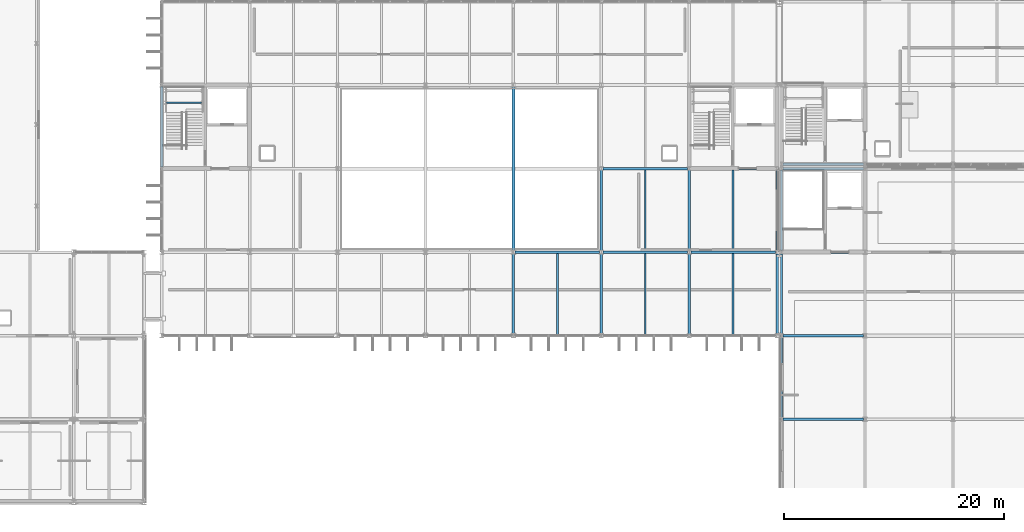
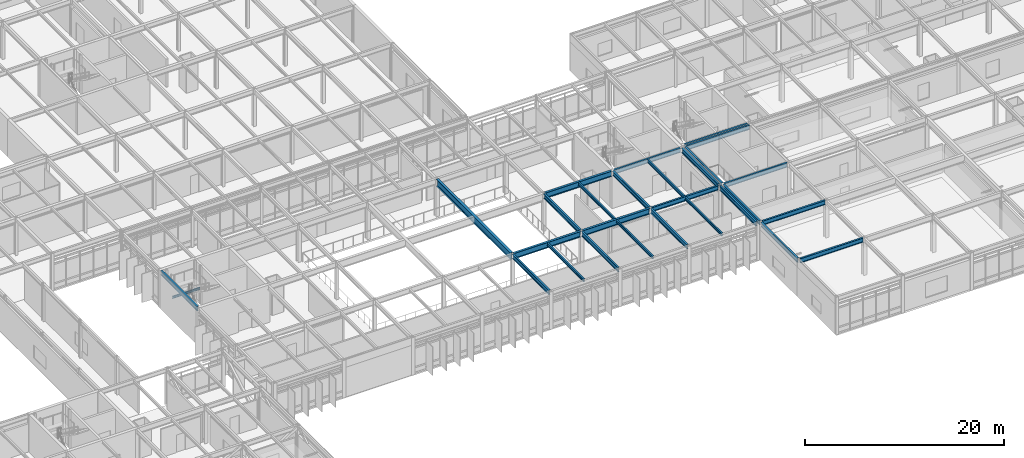
# One storey, part 43 of 104: 28 beams.
"""IFC4 building model written with IfcOpenShell, lengths in metres."""

import ifcopenshell
import ifcopenshell.guid

model = None  # the IFC model being written
_history = None  # IfcOwnerHistory: only IFC2X3 demands one
_inside = {}  # id of a spatial element -> (the spatial element, [elements in it])
_under = {}  # id of a project, library or spatial element -> (it, [spatial elements below it])
_declared = {}  # id of a project -> (the project, [libraries it declares])
_typed = {}  # id of a type object -> (the type object, [elements of that type])
_made_of = {}  # id of a material, layer set ... -> (it, [elements and type objects made of it])


def new_model(schema):
    """Start an empty IFC model of exactly this schema.

    Asked for "IFC4X3", IfcOpenShell would pick the latest addendum, in which some entities
    have other attributes; the version numbers below select the first issue.
    IFC2X3 requires an IfcOwnerHistory on every rooted entity: one is made here for all.
    """
    global model, _history
    if schema == "IFC4X3":
        model = ifcopenshell.file(schema_version=(4, 3, 0, 0))
    else:
        model = ifcopenshell.file(schema=schema)
    _inside.clear()
    _under.clear()
    _declared.clear()
    _typed.clear()
    _made_of.clear()
    _history = None
    if model.schema == "IFC2X3":
        org = make("IfcOrganization", Name="unknown")
        user = make(
            "IfcPersonAndOrganization",
            ThePerson=make("IfcPerson", FamilyName="unknown"),
            TheOrganization=org,
        )
        app = make(
            "IfcApplication",
            ApplicationDeveloper=org,
            Version="unknown",
            ApplicationFullName="unknown",
            ApplicationIdentifier="unknown",
        )
        _history = make(
            "IfcOwnerHistory",
            OwningUser=user,
            OwningApplication=app,
            ChangeAction="ADDED",
            CreationDate=0,
        )
    return model


def make(cls, **values):
    """One entity of the class cls with the attributes given. An attribute that is None is left unset."""
    return model.create_entity(
        cls, **{name: value for name, value in values.items() if value is not None}
    )


def rooted(cls, **values):
    """An entity with a GlobalId (a new one), such as an element, a storey or a relation."""
    return make(cls, GlobalId=ifcopenshell.guid.new(), OwnerHistory=_history, **values)


def si_unit(unit_type, name, prefix=None):
    """IfcSIUnit, for example si_unit("LENGTHUNIT", "METRE", prefix="MILLI")."""
    return make("IfcSIUnit", UnitType=unit_type, Prefix=prefix, Name=name)


def assignment(units):
    """IfcUnitAssignment: the units of a project."""
    return None if units is None else make("IfcUnitAssignment", Units=units)


def point(xyz):
    """IfcCartesianPoint."""
    return None if xyz is None else make("IfcCartesianPoint", Coordinates=xyz)


def direction(xyz):
    """IfcDirection."""
    return None if xyz is None else make("IfcDirection", DirectionRatios=xyz)


def frame(location, z_axis=None, x_axis=None):
    """IfcAxis2Placement3D, a coordinate frame: its origin and axes. An axis left out is left unset."""
    return make(
        "IfcAxis2Placement3D",
        Location=point(location),
        Axis=direction(z_axis),
        RefDirection=direction(x_axis),
    )


def frame_2d(location, x_axis=None):
    """IfcAxis2Placement2D, a coordinate frame in the plane: its origin and x axis."""
    return make(
        "IfcAxis2Placement2D", Location=point(location), RefDirection=direction(x_axis)
    )


def origin():
    """The frame at (0, 0, 0) with its axes left unset."""
    return frame((0.0, 0.0, 0.0))


def origin_2d():
    """The frame at (0, 0) in the plane with its x axis left unset."""
    return frame_2d((0.0, 0.0))


def place(relative_to, where):
    """IfcLocalPlacement: puts the frame where relative to a parent placement (None: the world)."""
    return make(
        "IfcLocalPlacement", PlacementRelTo=relative_to, RelativePlacement=where
    )


def context(
    kind, dimensions, precision=None, world=None, true_north=None, identifier=None
):
    """IfcGeometricRepresentationContext, for example the 3D "Model" context."""
    return make(
        "IfcGeometricRepresentationContext",
        ContextIdentifier=identifier,
        ContextType=kind,
        CoordinateSpaceDimension=dimensions,
        Precision=precision,
        WorldCoordinateSystem=world,
        TrueNorth=true_north,
    )


def subcontext(parent, identifier, kind, view, scale=None):
    """IfcGeometricRepresentationSubContext, for example "Body" below "Model"."""
    return make(
        "IfcGeometricRepresentationSubContext",
        ContextIdentifier=identifier,
        ContextType=kind,
        ParentContext=parent,
        TargetScale=scale,
        TargetView=view,
    )


def project(units=None, contexts=None):
    """IfcProject with its units and contexts."""
    return rooted(
        "IfcProject",
        Name="project",
        RepresentationContexts=contexts,
        UnitsInContext=assignment(units),
    )


def spatial(cls, under=None, at=None, **own):
    """A site, building, storey or space (cls), placed at a placement, below another one or the project."""
    s = rooted(cls, ObjectPlacement=at, **own)
    if under is not None:
        _under.setdefault(under.id(), (under, []))[1].append(s)
    return s


def profile(cls, at=None, kind="AREA", **sizes):
    """A parametric profile (cls). Its sizes go by their IFC names, for example OverallWidth=200.0."""
    return make(cls, ProfileType=kind, Position=at, **sizes)


def i_section(**sizes):
    """IfcIShapeProfileDef."""
    return profile("IfcIShapeProfileDef", **sizes)


def extrude(swept, where, along, depth):
    """IfcExtrudedAreaSolid: the profile swept, set in the frame where, extruded along a direction by depth."""
    return make(
        "IfcExtrudedAreaSolid",
        SweptArea=swept,
        Position=where,
        ExtrudedDirection=direction(along),
        Depth=depth,
    )


def shape(context_of_items, identifier, shape_type, items):
    """IfcShapeRepresentation: the items that make up one representation, for example the "Body"."""
    return make(
        "IfcShapeRepresentation",
        ContextOfItems=context_of_items,
        RepresentationIdentifier=identifier,
        RepresentationType=shape_type,
        Items=items,
    )


def material(Name=None, Category=None):
    """IfcMaterial."""
    return make("IfcMaterial", Name=Name, Category=Category)


def material_profile(
    of_material, cross_section, Name=None, Category=None, Priority=None
):
    """IfcMaterialProfile: a cross section and its material."""
    return make(
        "IfcMaterialProfile",
        Name=Name,
        Material=of_material,
        Profile=cross_section,
        Priority=Priority,
        Category=Category,
    )


def profile_set(profiles, Name=None, composite=None):
    """IfcMaterialProfileSet."""
    return make(
        "IfcMaterialProfileSet",
        Name=Name,
        MaterialProfiles=profiles,
        CompositeProfile=composite,
    )


def made_of(thing, what):
    """Note that an element or type object is made of a material, layer set ...; save() writes the relation."""
    if what is not None:
        _made_of.setdefault(what.id(), (what, []))[1].append(thing)
    return thing


def type_object(cls, material=None, **own):
    """A type object (cls), such as IfcWallType, which elements share."""
    return made_of(rooted(cls, **own), material)


def element(
    cls,
    number,
    at=None,
    inside=None,
    cuts=None,
    type_object=None,
    material=None,
    context=None,
    identifier="Body",
    shape_type=None,
    held_by="IfcProductDefinitionShape",
    body=None,
    shapes=None,
    **own,
):
    """One element of the class cls, such as IfcWall. Its Tag is "e" and its number.

    at: its placement. inside: the storey or other place that contains it. cuts: it is an
    opening in that element (IfcRelVoidsElement). A single representation is given by context,
    identifier, shape_type and body (its items); several are given by shapes. held_by: the class
    of the entity that holds the representations. save() writes the other relations.
    """
    e = rooted(cls, Tag="e%d" % number, ObjectPlacement=at, **own)
    if body is not None:
        shapes = [shape(context, identifier, shape_type, body)]
    if shapes is not None:
        e.Representation = make(held_by, Representations=shapes)
    if inside is not None:
        _inside.setdefault(inside.id(), (inside, []))[1].append(e)
    if cuts is not None:
        rooted(
            "IfcRelVoidsElement", RelatingBuildingElement=cuts, RelatedOpeningElement=e
        )
    if type_object is not None:
        _typed.setdefault(type_object.id(), (type_object, []))[1].append(e)
    return made_of(e, material)


def aggregate(whole, parts):
    """IfcRelAggregates: a whole, such as a stair, and the parts it consists of."""
    return rooted("IfcRelAggregates", RelatingObject=whole, RelatedObjects=parts)


def save(model, path):
    """Write the relations noted so far, then the file.

    IfcRelAggregates (storeys below a building ...), IfcRelContainedInSpatialStructure (elements
    in a storey), IfcRelDefinesByType, IfcRelAssociatesMaterial and IfcRelDeclares: one each for
    every whole, place, type object, material and project.
    """
    for whole, parts in _under.values():
        aggregate(whole, parts)
    for where, things in _inside.values():
        rooted(
            "IfcRelContainedInSpatialStructure",
            RelatedElements=things,
            RelatingStructure=where,
        )
    for kind, things in _typed.values():
        rooted("IfcRelDefinesByType", RelatedObjects=things, RelatingType=kind)
    for what, things in _made_of.values():
        rooted("IfcRelAssociatesMaterial", RelatedObjects=things, RelatingMaterial=what)
    for by, libraries in _declared.values():
        rooted("IfcRelDeclares", RelatingContext=by, RelatedDefinitions=libraries)
    model.write(path)


model = new_model("IFC4")

# Units and contexts
model_context = context("Model", 3, precision=1e-05, world=origin(), true_north=direction((0.0, 1.0)))
body_context = subcontext(model_context, "Body", "Model", "MODEL_VIEW")
ifc_project = project(units=[si_unit("LENGTHUNIT", "METRE"), si_unit("AREAUNIT", "SQUARE_METRE"), si_unit("VOLUMEUNIT", "CUBIC_METRE"), si_unit("PLANEANGLEUNIT", "RADIAN"), si_unit("MASSUNIT", "GRAM", prefix="KILO")], contexts=[model_context])

# Site, building, storey
site_placement = place(None, origin())
site = spatial("IfcSite", under=ifc_project, at=site_placement, CompositionType="ELEMENT")
building_placement = place(site_placement, origin())
building = spatial("IfcBuilding", under=site, at=building_placement, Name="Zulena Civic Courthouse", CompositionType="ELEMENT")
storey_placement = place(building_placement, frame((0.0, 0.0, 15.60009765625)))
storey = spatial("IfcBuildingStorey", under=building, at=storey_placement, Name="L03", CompositionType="ELEMENT", Elevation=15.60009765625)

# Beams
ifc_material = material(Name="Steel ASTM A992 Grade 50", Category="steel")
ifc_material_profile_1 = material_profile(ifc_material, i_section(OverallWidth=0.2099609375, OverallDepth=0.537109375, WebThickness=0.010986328125, FlangeThickness=0.017333984375, FilletRadius=0.0126953125, at=origin_2d()), Name="W21X68")
ifc_profile_set_1 = profile_set([ifc_material_profile_1], Name="Steel ASTM A992 Grade 50")
beam_type_1 = type_object("IfcBeamType", Name="Girder_W21X68", PredefinedType="BEAM", material=ifc_profile_set_1)
for number, where, z_axis, x_axis, name in (
    (1, (108.0, 22.945068359375, 4.3212890625), (0.0, 1.0, 0.0), (-1.0, 0.0, 0.0), "beam:Y:V4:L03:108.0:22.8_30.4"),
    (2, (116.0, 22.945068359375, 4.3212890625), (0.0, 1.0, 0.0), (-1.0, 0.0, 0.0), "beam:Y:V4:L03:116.0:22.8_30.4"),
):
    element("IfcBeam", number, at=place(storey_placement, frame(where, z_axis=z_axis, x_axis=x_axis)), inside=storey, type_object=beam_type_1, Name=name, PredefinedType="BEAM", context=body_context, shape_type="SweptSolid", body=[
        extrude(i_section(OverallWidth=0.2099609375, OverallDepth=0.537109375, WebThickness=0.010986328125, FlangeThickness=0.017333984375, FilletRadius=0.0126953125, at=origin_2d()), origin(), (0.0, 0.0, 1.0), 7.309814453125),
    ])
ifc_material_profile_2 = material_profile(ifc_material, i_section(OverallWidth=0.25390625, OverallDepth=0.68798828125, WebThickness=0.01318359375, FlangeThickness=0.02099609375, FilletRadius=0.0166015625, at=origin_2d()), Name="W27X102")
ifc_profile_set_2 = profile_set([ifc_material_profile_2], Name="Steel ASTM A992 Grade 50")
beam_type_2 = type_object("IfcBeamType", Name="Girder_W27X102", PredefinedType="BEAM", material=ifc_profile_set_2)
for number, where, z_axis, x_axis, name in (
    (3, (100.14501953125, 22.800048828125, 4.245849609375), (1.0, 0.0, 0.0), (0.0, 1.0, 0.0), "beam:X:V4:L03:22.8:100.0_108.0"),
    (4, (108.14501953125, 22.800048828125, 4.245849609375), (1.0, 0.0, 0.0), (0.0, 1.0, 0.0), "beam:X:V4:L03:22.8:108.0_116.0"),
    (5, (108.14501953125, 30.39990234375, 4.245849609375), (1.0, 0.0, 0.0), (0.0, 1.0, 0.0), "beam:X:V4:L03:30.4:108.0_116.0"),
):
    element("IfcBeam", number, at=place(storey_placement, frame(where, z_axis=z_axis, x_axis=x_axis)), inside=storey, type_object=beam_type_2, Name=name, PredefinedType="BEAM", context=body_context, shape_type="SweptSolid", body=[
        extrude(i_section(OverallWidth=0.25390625, OverallDepth=0.68798828125, WebThickness=0.01318359375, FlangeThickness=0.02099609375, FilletRadius=0.0166015625, at=origin_2d()), origin(), (0.0, 0.0, 1.0), 7.7099609375),
    ])
ifc_material_profile_3 = material_profile(ifc_material, i_section(OverallWidth=0.2919921875, OverallDepth=0.841064453125, WebThickness=0.0146484375, FlangeThickness=0.021728515625, FilletRadius=0.017822265625, at=origin_2d()), Name="W33X130")
ifc_profile_set_3 = profile_set([ifc_material_profile_3], Name="Steel ASTM A992 Grade 50")
beam_type_3 = type_object("IfcBeamType", Name="Girder_W33X130", PredefinedType="BEAM", material=ifc_profile_set_3)
beam_1_placement = place(storey_placement, frame((100.0, 22.945068359375, 4.16943359375), z_axis=(0.0, 1.0, 0.0), x_axis=(-1.0, 0.0, 0.0)))
element("IfcBeam", 6, at=beam_1_placement, inside=storey, type_object=beam_type_3, Name="beam:Y:V4:L03:100.0:22.8_38.0", PredefinedType="BEAM", context=body_context, shape_type="SweptSolid", body=[
    extrude(i_section(OverallWidth=0.2919921875, OverallDepth=0.841064453125, WebThickness=0.0146484375, FlangeThickness=0.021728515625, FilletRadius=0.017822265625, at=origin_2d()), origin(), (0.0, 0.0, 1.0), 14.909912109375),
])
ifc_material_profile_4 = material_profile(ifc_material, i_section(OverallWidth=0.14599609375, OverallDepth=0.258056640625, WebThickness=0.006103515625, FlangeThickness=0.009033203125, FilletRadius=0.007568359375, at=origin_2d()), Name="W10X22")
ifc_profile_set_4 = profile_set([ifc_material_profile_4], Name="Steel ASTM A992 Grade 50")
beam_type_4 = type_object("IfcBeamType", Name="Joist_W10X22", PredefinedType="JOIST", material=ifc_profile_set_4)
beam_2_placement = place(storey_placement, frame((68.419921875, 36.39990234375, 1.990966796875), z_axis=(1.0, 0.0, 0.0), x_axis=(0.0, 1.0, 0.0)))
element("IfcBeam", 7, at=beam_2_placement, inside=storey, type_object=beam_type_4, Name="beam:lnd:K4A:L03:0", PredefinedType="JOIST", context=body_context, shape_type="SweptSolid", body=[
    extrude(i_section(OverallWidth=0.14599609375, OverallDepth=0.258056640625, WebThickness=0.006103515625, FlangeThickness=0.009033203125, FilletRadius=0.007568359375, at=origin_2d()), origin(), (0.0, 0.0, 1.0), 3.2001953125),
])
ifc_material_profile_5 = material_profile(ifc_material, i_section(OverallWidth=0.1708984375, OverallDepth=0.35205078125, WebThickness=0.0068359375, FlangeThickness=0.009765625, FilletRadius=0.01025390625, at=origin_2d()), Name="W14X30")
ifc_profile_set_5 = profile_set([ifc_material_profile_5], Name="Steel ASTM A992 Grade 50")
beam_type_5 = type_object("IfcBeamType", Name="Joist_W14X30", PredefinedType="JOIST", material=ifc_profile_set_5)
for number, where, z_axis, x_axis, name in (
    (8, (104.0, 15.304931640625, 4.413818359375), (0.0, 1.0, 0.0), (-1.0, 0.0, 0.0), "joist:V4:L03:104.00:15.2_22.8"),
    (9, (112.0, 15.304931640625, 4.413818359375), (0.0, 1.0, 0.0), (-1.0, 0.0, 0.0), "joist:V4:L03:112.00:15.2_22.8"),
):
    element("IfcBeam", number, at=place(storey_placement, frame(where, z_axis=z_axis, x_axis=x_axis)), inside=storey, type_object=beam_type_5, Name=name, PredefinedType="JOIST", context=body_context, shape_type="SweptSolid", body=[
        extrude(i_section(OverallWidth=0.1708984375, OverallDepth=0.35205078125, WebThickness=0.0068359375, FlangeThickness=0.009765625, FilletRadius=0.01025390625, at=origin_2d()), origin(), (0.0, 0.0, 1.0), 7.39013671875),
    ])
beam_3_placement = place(storey_placement, frame((112.0, 22.905029296875, 4.413818359375), z_axis=(0.0, 1.0, 0.0), x_axis=(-1.0, 0.0, 0.0)))
element("IfcBeam", 10, at=beam_3_placement, inside=storey, type_object=beam_type_5, Name="joist:V4:L03:112.00:22.8_30.4", PredefinedType="JOIST", context=body_context, shape_type="SweptSolid", body=[
    extrude(i_section(OverallWidth=0.1708984375, OverallDepth=0.35205078125, WebThickness=0.0068359375, FlangeThickness=0.009765625, FilletRadius=0.01025390625, at=origin_2d()), origin(), (0.0, 0.0, 1.0), 7.389892578125),
])
beam_4_placement = place(storey_placement, frame((120.0, 15.304931640625, 4.413818359375), z_axis=(0.0, 1.0, 0.0), x_axis=(-1.0, 0.0, 0.0)))
element("IfcBeam", 11, at=beam_4_placement, inside=storey, type_object=beam_type_5, Name="joist:V4:L03:120.00:15.2_22.8", PredefinedType="JOIST", context=body_context, shape_type="SweptSolid", body=[
    extrude(i_section(OverallWidth=0.1708984375, OverallDepth=0.35205078125, WebThickness=0.0068359375, FlangeThickness=0.009765625, FilletRadius=0.01025390625, at=origin_2d()), origin(), (0.0, 0.0, 1.0), 7.39013671875),
])
beam_5_placement = place(storey_placement, frame((120.0, 22.905029296875, 4.413818359375), z_axis=(0.0, 1.0, 0.0), x_axis=(-1.0, 0.0, 0.0)))
element("IfcBeam", 12, at=beam_5_placement, inside=storey, type_object=beam_type_5, Name="joist:V4:L03:120.00:22.8_30.4", PredefinedType="JOIST", context=body_context, shape_type="SweptSolid", body=[
    extrude(i_section(OverallWidth=0.1708984375, OverallDepth=0.35205078125, WebThickness=0.0068359375, FlangeThickness=0.009765625, FilletRadius=0.01025390625, at=origin_2d()), origin(), (0.0, 0.0, 1.0), 7.389892578125),
])
ifc_material_profile_6 = material_profile(ifc_material, i_section(OverallWidth=0.2099609375, OverallDepth=0.537109375, WebThickness=0.010986328125, FlangeThickness=0.017333984375, FilletRadius=0.0126953125, at=origin_2d()), Name="W21X68")
ifc_profile_set_6 = profile_set([ifc_material_profile_6], Name="Steel ASTM A992 Grade 50")
beam_type_6 = type_object("IfcBeamType", Name="Spandrel_W21X68", PredefinedType="SPANDREL", material=ifc_profile_set_6)
for number, where, z_axis, x_axis, name in (
    (13, (124.544921875, 7.60009765625, 4.326416015625), (1.0, 0.0, 0.0), (0.0, 1.0, 0.0), "beam:X:V1:L03:7.6:124.4_132.0"),
    (14, (124.544921875, 15.199951171875, 4.326416015625), (1.0, 0.0, 0.0), (0.0, 1.0, 0.0), "beam:X:V1:L03:15.2:124.4_132.0"),
    (15, (124.544921875, 22.800048828125, 4.326416015625), (1.0, 0.0, 0.0), (0.0, 1.0, 0.0), "beam:X:V1:L03:22.8:124.4_132.0"),
    (16, (124.544921875, 30.39990234375, 4.326416015625), (1.0, 0.0, 0.0), (0.0, 1.0, 0.0), "beam:X:V1:L03:30.4:124.4_132.0"),
):
    element("IfcBeam", number, at=place(storey_placement, frame(where, z_axis=z_axis, x_axis=x_axis)), inside=storey, type_object=beam_type_6, Name=name, PredefinedType="SPANDREL", context=body_context, shape_type="SweptSolid", body=[
        extrude(i_section(OverallWidth=0.2099609375, OverallDepth=0.537109375, WebThickness=0.010986328125, FlangeThickness=0.017333984375, FilletRadius=0.0126953125, at=origin_2d()), origin(), (0.0, 0.0, 1.0), 7.31005859375),
    ])
beam_6_placement = place(storey_placement, frame((124.39990234375, 7.7451171875, 4.326416015625), z_axis=(0.0, 1.0, 0.0), x_axis=(-1.0, 0.0, 0.0)))
element("IfcBeam", 17, at=beam_6_placement, inside=storey, type_object=beam_type_6, Name="beam:Y:V1:L03:124.4:7.6_15.2", PredefinedType="SPANDREL", context=body_context, shape_type="SweptSolid", body=[
    extrude(i_section(OverallWidth=0.2099609375, OverallDepth=0.537109375, WebThickness=0.010986328125, FlangeThickness=0.017333984375, FilletRadius=0.0126953125, at=origin_2d()), origin(), (0.0, 0.0, 1.0), 7.309814453125),
])
beam_7_placement = place(storey_placement, frame((124.39990234375, 15.344970703125, 4.326416015625), z_axis=(0.0, 1.0, 0.0), x_axis=(-1.0, 0.0, 0.0)))
element("IfcBeam", 18, at=beam_7_placement, inside=storey, type_object=beam_type_6, Name="beam:Y:V1:L03:124.4:15.2_22.8", PredefinedType="SPANDREL", context=body_context, shape_type="SweptSolid", body=[
    extrude(i_section(OverallWidth=0.2099609375, OverallDepth=0.537109375, WebThickness=0.010986328125, FlangeThickness=0.017333984375, FilletRadius=0.0126953125, at=origin_2d()), origin(), (0.0, 0.0, 1.0), 7.31005859375),
])
beam_8_placement = place(storey_placement, frame((124.39990234375, 22.945068359375, 4.326416015625), z_axis=(0.0, 1.0, 0.0), x_axis=(-1.0, 0.0, 0.0)))
element("IfcBeam", 19, at=beam_8_placement, inside=storey, type_object=beam_type_6, Name="beam:Y:V1:L03:124.4:22.8_30.4", PredefinedType="SPANDREL", context=body_context, shape_type="SweptSolid", body=[
    extrude(i_section(OverallWidth=0.2099609375, OverallDepth=0.537109375, WebThickness=0.010986328125, FlangeThickness=0.017333984375, FilletRadius=0.0126953125, at=origin_2d()), origin(), (0.0, 0.0, 1.0), 7.309814453125),
])
beam_9_placement = place(storey_placement, frame((124.544921875, 30.800048828125, 4.2763671875), z_axis=(1.0, 0.0, 0.0), x_axis=(0.0, 1.0, 0.0)))
element("IfcBeam", 20, at=beam_9_placement, inside=storey, type_object=beam_type_6, Name="beam:X:V3:L03:30.8:124.4_132.0", PredefinedType="SPANDREL", context=body_context, shape_type="SweptSolid", body=[
    extrude(i_section(OverallWidth=0.2099609375, OverallDepth=0.537109375, WebThickness=0.010986328125, FlangeThickness=0.017333984375, FilletRadius=0.0126953125, at=origin_2d()), origin(), (0.0, 0.0, 1.0), 7.31005859375),
])
for number, where, z_axis, x_axis, name in (
    (21, (116.14501953125, 22.800048828125, 4.3212890625), (1.0, 0.0, 0.0), (0.0, 1.0, 0.0), "beam:X:V4:L03:22.8:116.0_124.0"),
    (22, (116.14501953125, 30.39990234375, 4.3212890625), (1.0, 0.0, 0.0), (0.0, 1.0, 0.0), "beam:X:V4:L03:30.4:116.0_124.0"),
):
    element("IfcBeam", number, at=place(storey_placement, frame(where, z_axis=z_axis, x_axis=x_axis)), inside=storey, type_object=beam_type_6, Name=name, PredefinedType="SPANDREL", context=body_context, shape_type="SweptSolid", body=[
        extrude(i_section(OverallWidth=0.2099609375, OverallDepth=0.537109375, WebThickness=0.010986328125, FlangeThickness=0.017333984375, FilletRadius=0.0126953125, at=origin_2d()), origin(), (0.0, 0.0, 1.0), 7.7099609375),
    ])
for number, where, z_axis, x_axis, name in (
    (23, (68.0, 30.544921875, 4.3212890625), (0.0, 1.0, 0.0), (-1.0, 0.0, 0.0), "beam:Y:V4:L03:68.0:30.4_38.0"),
    (24, (100.0, 15.344970703125, 4.3212890625), (0.0, 1.0, 0.0), (-1.0, 0.0, 0.0), "beam:Y:V4:L03:100.0:15.2_22.8"),
    (25, (108.0, 15.344970703125, 4.3212890625), (0.0, 1.0, 0.0), (-1.0, 0.0, 0.0), "beam:Y:V4:L03:108.0:15.2_22.8"),
    (26, (116.0, 15.344970703125, 4.3212890625), (0.0, 1.0, 0.0), (-1.0, 0.0, 0.0), "beam:Y:V4:L03:116.0:15.2_22.8"),
    (27, (124.0, 15.344970703125, 4.3212890625), (0.0, 1.0, 0.0), (-1.0, 0.0, 0.0), "beam:Y:V4:L03:124.0:15.2_22.8"),
):
    element("IfcBeam", number, at=place(storey_placement, frame(where, z_axis=z_axis, x_axis=x_axis)), inside=storey, type_object=beam_type_6, Name=name, PredefinedType="SPANDREL", context=body_context, shape_type="SweptSolid", body=[
        extrude(i_section(OverallWidth=0.2099609375, OverallDepth=0.537109375, WebThickness=0.010986328125, FlangeThickness=0.017333984375, FilletRadius=0.0126953125, at=origin_2d()), origin(), (0.0, 0.0, 1.0), 7.31005859375),
    ])
beam_10_placement = place(storey_placement, frame((124.0, 22.945068359375, 4.3212890625), z_axis=(0.0, 1.0, 0.0), x_axis=(-1.0, 0.0, 0.0)))
element("IfcBeam", 28, at=beam_10_placement, inside=storey, type_object=beam_type_6, Name="beam:Y:V4:L03:124.0:22.8_30.4", PredefinedType="SPANDREL", context=body_context, shape_type="SweptSolid", body=[
    extrude(i_section(OverallWidth=0.2099609375, OverallDepth=0.537109375, WebThickness=0.010986328125, FlangeThickness=0.017333984375, FilletRadius=0.0126953125, at=origin_2d()), origin(), (0.0, 0.0, 1.0), 7.309814453125),
])

save(model, "model.ifc")
